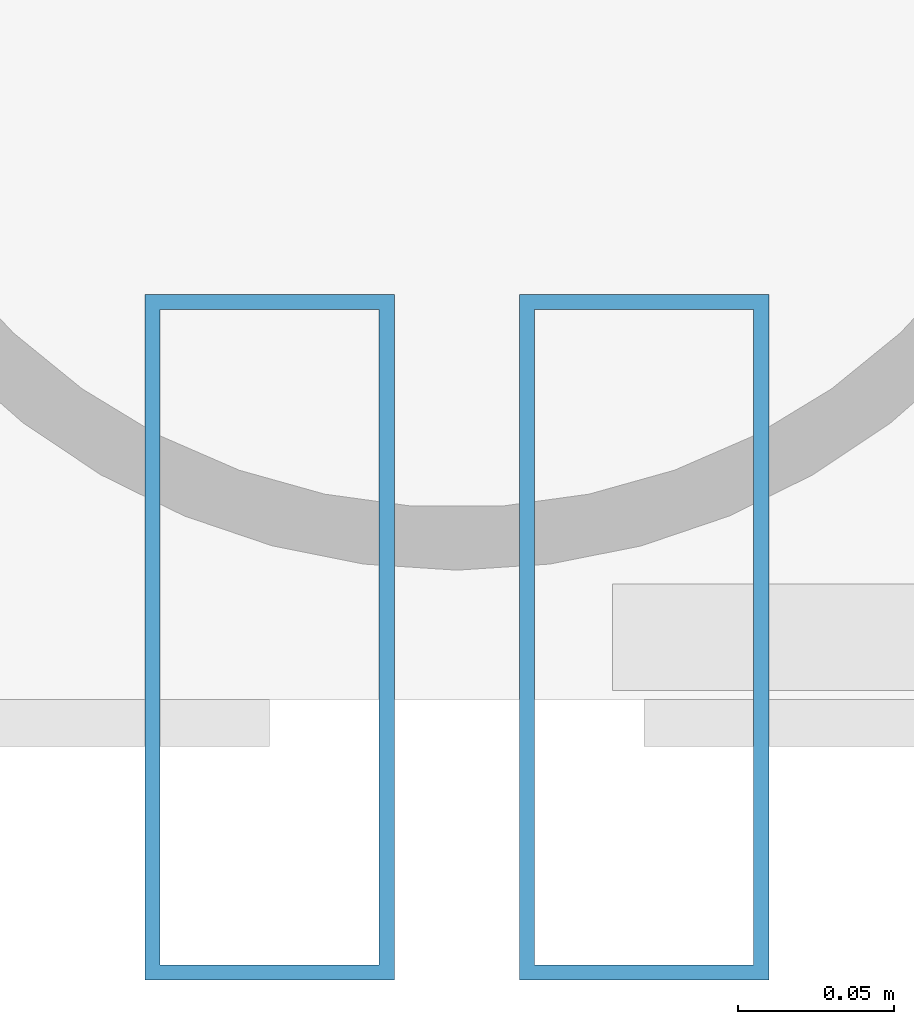
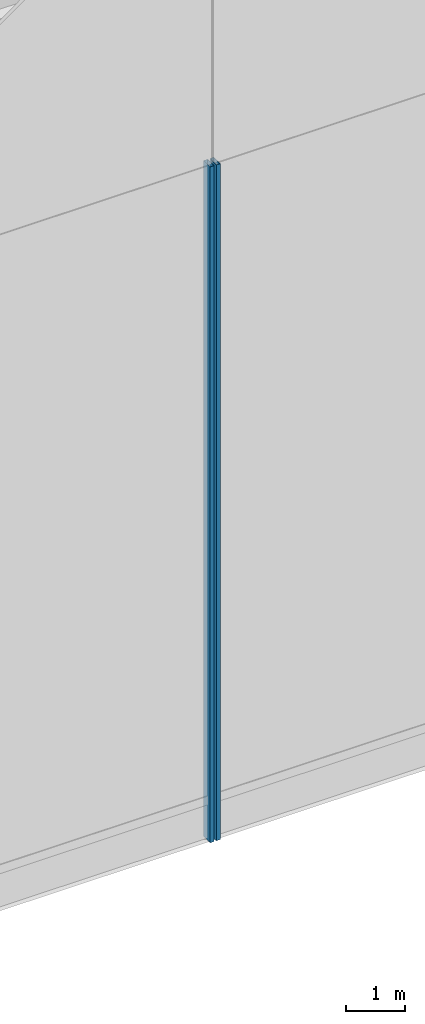
# One storey, part 10 of 42: 2 members, 2 elements without a shape of their own.
"""IFC4 building model written with IfcOpenShell, lengths in metres."""

import ifcopenshell
import ifcopenshell.guid

model = None  # the IFC model being written
_history = None  # IfcOwnerHistory: only IFC2X3 demands one
_inside = {}  # id of a spatial element -> (the spatial element, [elements in it])
_under = {}  # id of a project, library or spatial element -> (it, [spatial elements below it])
_declared = {}  # id of a project -> (the project, [libraries it declares])
_typed = {}  # id of a type object -> (the type object, [elements of that type])
_made_of = {}  # id of a material, layer set ... -> (it, [elements and type objects made of it])


def new_model(schema):
    """Start an empty IFC model of exactly this schema.

    Asked for "IFC4X3", IfcOpenShell would pick the latest addendum, in which some entities
    have other attributes; the version numbers below select the first issue.
    IFC2X3 requires an IfcOwnerHistory on every rooted entity: one is made here for all.
    """
    global model, _history
    if schema == "IFC4X3":
        model = ifcopenshell.file(schema_version=(4, 3, 0, 0))
    else:
        model = ifcopenshell.file(schema=schema)
    _inside.clear()
    _under.clear()
    _declared.clear()
    _typed.clear()
    _made_of.clear()
    _history = None
    if model.schema == "IFC2X3":
        org = make("IfcOrganization", Name="unknown")
        user = make(
            "IfcPersonAndOrganization",
            ThePerson=make("IfcPerson", FamilyName="unknown"),
            TheOrganization=org,
        )
        app = make(
            "IfcApplication",
            ApplicationDeveloper=org,
            Version="unknown",
            ApplicationFullName="unknown",
            ApplicationIdentifier="unknown",
        )
        _history = make(
            "IfcOwnerHistory",
            OwningUser=user,
            OwningApplication=app,
            ChangeAction="ADDED",
            CreationDate=0,
        )
    return model


def make(cls, **values):
    """One entity of the class cls with the attributes given. An attribute that is None is left unset."""
    return model.create_entity(
        cls, **{name: value for name, value in values.items() if value is not None}
    )


def rooted(cls, **values):
    """An entity with a GlobalId (a new one), such as an element, a storey or a relation."""
    return make(cls, GlobalId=ifcopenshell.guid.new(), OwnerHistory=_history, **values)


def si_unit(unit_type, name, prefix=None):
    """IfcSIUnit, for example si_unit("LENGTHUNIT", "METRE", prefix="MILLI")."""
    return make("IfcSIUnit", UnitType=unit_type, Prefix=prefix, Name=name)


def assignment(units):
    """IfcUnitAssignment: the units of a project."""
    return None if units is None else make("IfcUnitAssignment", Units=units)


def point(xyz):
    """IfcCartesianPoint."""
    return None if xyz is None else make("IfcCartesianPoint", Coordinates=xyz)


def direction(xyz):
    """IfcDirection."""
    return None if xyz is None else make("IfcDirection", DirectionRatios=xyz)


def frame(location, z_axis=None, x_axis=None):
    """IfcAxis2Placement3D, a coordinate frame: its origin and axes. An axis left out is left unset."""
    return make(
        "IfcAxis2Placement3D",
        Location=point(location),
        Axis=direction(z_axis),
        RefDirection=direction(x_axis),
    )


def frame_2d(location, x_axis=None):
    """IfcAxis2Placement2D, a coordinate frame in the plane: its origin and x axis."""
    return make(
        "IfcAxis2Placement2D", Location=point(location), RefDirection=direction(x_axis)
    )


def origin():
    """The frame at (0, 0, 0) with its axes left unset."""
    return frame((0.0, 0.0, 0.0))


def origin_2d():
    """The frame at (0, 0) in the plane with its x axis left unset."""
    return frame_2d((0.0, 0.0))


def place(relative_to, where):
    """IfcLocalPlacement: puts the frame where relative to a parent placement (None: the world)."""
    return make(
        "IfcLocalPlacement", PlacementRelTo=relative_to, RelativePlacement=where
    )


def context(
    kind, dimensions, precision=None, world=None, true_north=None, identifier=None
):
    """IfcGeometricRepresentationContext, for example the 3D "Model" context."""
    return make(
        "IfcGeometricRepresentationContext",
        ContextIdentifier=identifier,
        ContextType=kind,
        CoordinateSpaceDimension=dimensions,
        Precision=precision,
        WorldCoordinateSystem=world,
        TrueNorth=true_north,
    )


def subcontext(parent, identifier, kind, view, scale=None):
    """IfcGeometricRepresentationSubContext, for example "Body" below "Model"."""
    return make(
        "IfcGeometricRepresentationSubContext",
        ContextIdentifier=identifier,
        ContextType=kind,
        ParentContext=parent,
        TargetScale=scale,
        TargetView=view,
    )


def project(units=None, contexts=None):
    """IfcProject with its units and contexts."""
    return rooted(
        "IfcProject",
        Name="project",
        RepresentationContexts=contexts,
        UnitsInContext=assignment(units),
    )


def spatial(cls, under=None, at=None, **own):
    """A site, building, storey or space (cls), placed at a placement, below another one or the project."""
    s = rooted(cls, ObjectPlacement=at, **own)
    if under is not None:
        _under.setdefault(under.id(), (under, []))[1].append(s)
    return s


def profile(cls, at=None, kind="AREA", **sizes):
    """A parametric profile (cls). Its sizes go by their IFC names, for example OverallWidth=200.0."""
    return make(cls, ProfileType=kind, Position=at, **sizes)


def hollow_rectangle(**sizes):
    """IfcRectangleHollowProfileDef."""
    return profile("IfcRectangleHollowProfileDef", **sizes)


def extrude(swept, where, along, depth):
    """IfcExtrudedAreaSolid: the profile swept, set in the frame where, extruded along a direction by depth."""
    return make(
        "IfcExtrudedAreaSolid",
        SweptArea=swept,
        Position=where,
        ExtrudedDirection=direction(along),
        Depth=depth,
    )


def shape(context_of_items, identifier, shape_type, items):
    """IfcShapeRepresentation: the items that make up one representation, for example the "Body"."""
    return make(
        "IfcShapeRepresentation",
        ContextOfItems=context_of_items,
        RepresentationIdentifier=identifier,
        RepresentationType=shape_type,
        Items=items,
    )


def material(Name=None, Category=None):
    """IfcMaterial."""
    return make("IfcMaterial", Name=Name, Category=Category)


def layer(
    of_material, thickness, ventilated=None, Name=None, Category=None, Priority=None
):
    """IfcMaterialLayer: one layer of a wall or slab, of a material (None: an air gap)."""
    return make(
        "IfcMaterialLayer",
        Material=of_material,
        LayerThickness=thickness,
        IsVentilated=ventilated,
        Name=Name,
        Category=Category,
        Priority=Priority,
    )


def layer_set(layers, Name=None):
    """IfcMaterialLayerSet."""
    return make("IfcMaterialLayerSet", MaterialLayers=layers, LayerSetName=Name)


def material_profile(
    of_material, cross_section, Name=None, Category=None, Priority=None
):
    """IfcMaterialProfile: a cross section and its material."""
    return make(
        "IfcMaterialProfile",
        Name=Name,
        Material=of_material,
        Profile=cross_section,
        Priority=Priority,
        Category=Category,
    )


def profile_set(profiles, Name=None, composite=None):
    """IfcMaterialProfileSet."""
    return make(
        "IfcMaterialProfileSet",
        Name=Name,
        MaterialProfiles=profiles,
        CompositeProfile=composite,
    )


def made_of(thing, what):
    """Note that an element or type object is made of a material, layer set ...; save() writes the relation."""
    if what is not None:
        _made_of.setdefault(what.id(), (what, []))[1].append(thing)
    return thing


def type_object(cls, material=None, **own):
    """A type object (cls), such as IfcWallType, which elements share."""
    return made_of(rooted(cls, **own), material)


def element(
    cls,
    number,
    at=None,
    inside=None,
    cuts=None,
    type_object=None,
    material=None,
    context=None,
    identifier="Body",
    shape_type=None,
    held_by="IfcProductDefinitionShape",
    body=None,
    shapes=None,
    **own,
):
    """One element of the class cls, such as IfcWall. Its Tag is "e" and its number.

    at: its placement. inside: the storey or other place that contains it. cuts: it is an
    opening in that element (IfcRelVoidsElement). A single representation is given by context,
    identifier, shape_type and body (its items); several are given by shapes. held_by: the class
    of the entity that holds the representations. save() writes the other relations.
    """
    e = rooted(cls, Tag="e%d" % number, ObjectPlacement=at, **own)
    if body is not None:
        shapes = [shape(context, identifier, shape_type, body)]
    if shapes is not None:
        e.Representation = make(held_by, Representations=shapes)
    if inside is not None:
        _inside.setdefault(inside.id(), (inside, []))[1].append(e)
    if cuts is not None:
        rooted(
            "IfcRelVoidsElement", RelatingBuildingElement=cuts, RelatedOpeningElement=e
        )
    if type_object is not None:
        _typed.setdefault(type_object.id(), (type_object, []))[1].append(e)
    return made_of(e, material)


def aggregate(whole, parts):
    """IfcRelAggregates: a whole, such as a stair, and the parts it consists of."""
    return rooted("IfcRelAggregates", RelatingObject=whole, RelatedObjects=parts)


def save(model, path):
    """Write the relations noted so far, then the file.

    IfcRelAggregates (storeys below a building ...), IfcRelContainedInSpatialStructure (elements
    in a storey), IfcRelDefinesByType, IfcRelAssociatesMaterial and IfcRelDeclares: one each for
    every whole, place, type object, material and project.
    """
    for whole, parts in _under.values():
        aggregate(whole, parts)
    for where, things in _inside.values():
        rooted(
            "IfcRelContainedInSpatialStructure",
            RelatedElements=things,
            RelatingStructure=where,
        )
    for kind, things in _typed.values():
        rooted("IfcRelDefinesByType", RelatedObjects=things, RelatingType=kind)
    for what, things in _made_of.values():
        rooted("IfcRelAssociatesMaterial", RelatedObjects=things, RelatingMaterial=what)
    for by, libraries in _declared.values():
        rooted("IfcRelDeclares", RelatingContext=by, RelatedDefinitions=libraries)
    model.write(path)


model = new_model("IFC4")

# Units and contexts
model_context = context("Model", 3, precision=1e-05, world=origin(), true_north=direction((0.0, 1.0)))
body_context = subcontext(model_context, "Body", "Model", "MODEL_VIEW")
ifc_project = project(units=[si_unit("LENGTHUNIT", "METRE"), si_unit("AREAUNIT", "SQUARE_METRE"), si_unit("VOLUMEUNIT", "CUBIC_METRE"), si_unit("PLANEANGLEUNIT", "RADIAN"), si_unit("MASSUNIT", "GRAM", prefix="KILO")], contexts=[model_context])

# Site, building, storey
site_placement = place(None, origin())
site = spatial("IfcSite", under=ifc_project, at=site_placement, CompositionType="ELEMENT")
building_placement = place(site_placement, origin())
building = spatial("IfcBuilding", under=site, at=building_placement, Name="Kallvorn Hotel Tower", CompositionType="ELEMENT")
storey_placement = place(building_placement, frame((0.0, 0.0, 306.0)))
storey = spatial("IfcBuildingStorey", under=building, at=storey_placement, Name="ROOF", CompositionType="ELEMENT", Elevation=306.0)

# Curtain wall, member
ifc_material_1 = material(Name="Thermally broken black-anodised aluminium AA 6063-T6", Category="aluminium")
ifc_layer = layer(ifc_material_1, 0.18994140625)
ifc_layer_set = layer_set([ifc_layer], Name="CW_SYS_7_CROWN_DRUM")
curtain_wall_type = type_object("IfcCurtainWallType", Name="CW_SYS_7_CROWN_DRUM", PredefinedType="USERDEFINED", material=ifc_layer_set)
curtain_wall_1_placement = place(storey_placement, origin())
curtain_wall_1 = element("IfcCurtainWall", 1, at=curtain_wall_1_placement, inside=storey, type_object=curtain_wall_type, Name="ROOF Dark-Glass Curtain Wall CW-ROOF-S1", ObjectType="UNITISED CURTAIN WALL", PredefinedType="USERDEFINED")
ifc_material_2 = material(Name="Thermally broken black-anodised aluminium AA 6063-T6", Category="aluminium")
ifc_material_profile = material_profile(ifc_material_2, hollow_rectangle(XDim=0.080078125, YDim=0.219970703125, WallThickness=0.0048828125, at=origin_2d()), Name="MUL 220x80")
ifc_profile_set = profile_set([ifc_material_profile], Name="Thermally broken black-anodised aluminium AA 6063-T6")
member_type = type_object("IfcMemberType", Name="CW_MULLION_220x80", PredefinedType="MULLION", material=ifc_profile_set)
member_1_placement = place(storey_placement, frame((-4.860107421875, -24.25, 0.02001953125), z_axis=(0.0, 0.0, 1.0), x_axis=(1.0, 0.0, 0.0)))
member_1 = element("IfcMember", 2, at=member_1_placement, type_object=member_type, Name="CW-ROOF-S1 Mullion 02", PredefinedType="MULLION", context=body_context, shape_type="SweptSolid", body=[
    extrude(hollow_rectangle(XDim=0.080078125, YDim=0.219970703125, WallThickness=0.0048828125, at=origin_2d()), origin(), (0.0, 0.0, 1.0), 13.9599609375),
])
aggregate(curtain_wall_1, [member_1])

curtain_wall_2_placement = place(storey_placement, origin())
curtain_wall_2 = element("IfcCurtainWall", 3, at=curtain_wall_2_placement, inside=storey, type_object=curtain_wall_type, Name="ROOF Dark-Glass Curtain Wall CW-ROOF-S2", ObjectType="UNITISED CURTAIN WALL", PredefinedType="USERDEFINED")
member_2_placement = place(storey_placement, frame((-4.739990234375, -24.25, 0.02001953125), z_axis=(0.0, 0.0, 1.0), x_axis=(1.0, 0.0, 0.0)))
member_2 = element("IfcMember", 4, at=member_2_placement, type_object=member_type, Name="CW-ROOF-S2 Mullion 00", PredefinedType="MULLION", context=body_context, shape_type="SweptSolid", body=[
    extrude(hollow_rectangle(XDim=0.080078125, YDim=0.219970703125, WallThickness=0.0048828125, at=origin_2d()), origin(), (0.0, 0.0, 1.0), 13.9599609375),
])
aggregate(curtain_wall_2, [member_2])

save(model, "model.ifc")
